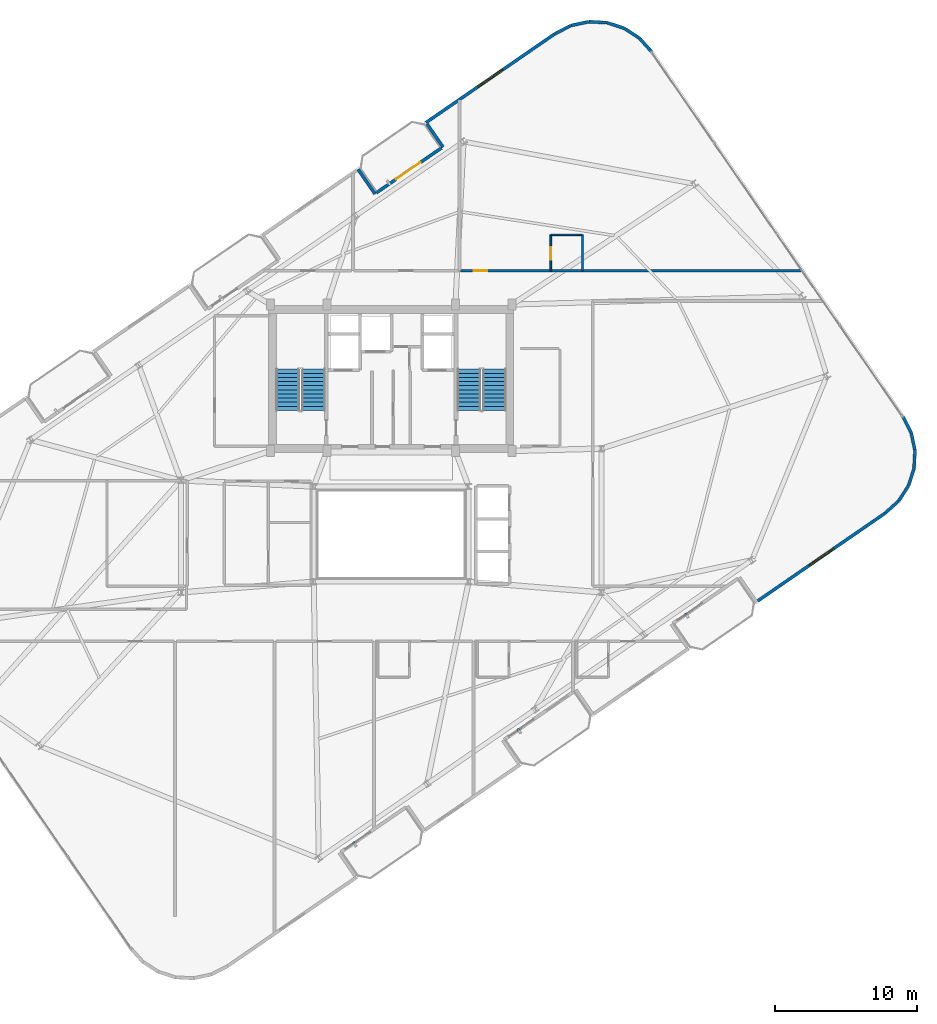
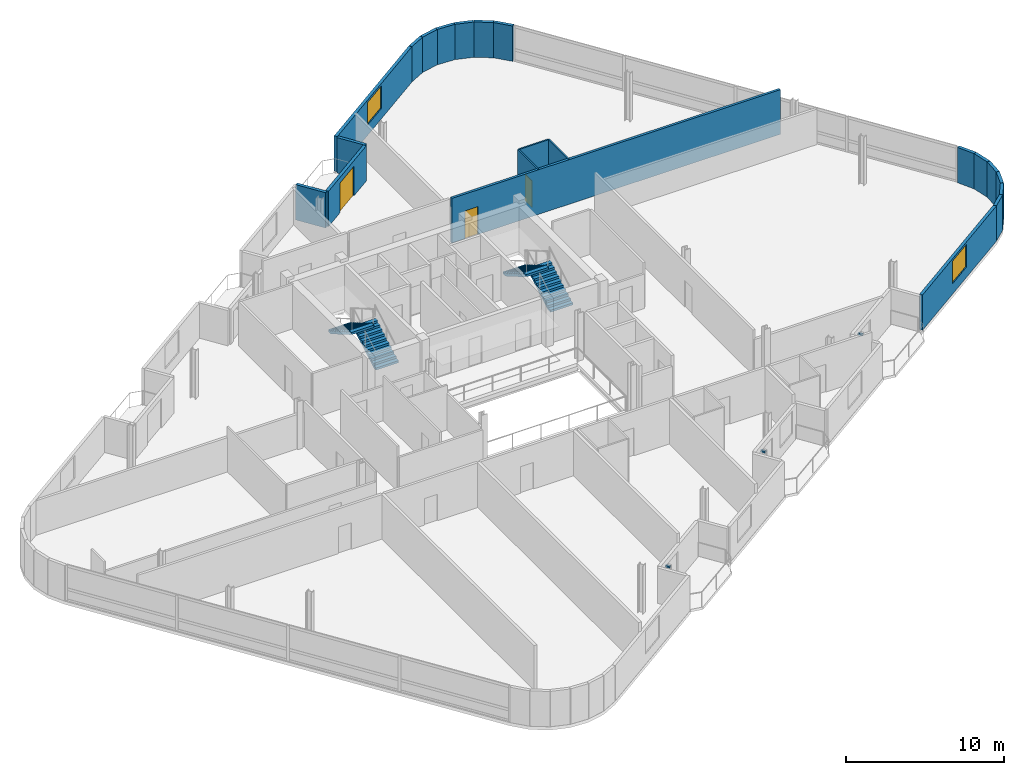
# One storey, part 17 of 21: 21 walls, 4 stair flights, 3 discrete accessories, 3 doors, 2 windows, 5 openings, 2 elements without a shape of their own.
"""IFC4 building model written with IfcOpenShell, lengths in metres."""

from ifc_helpers import new_model, si_unit, direction, frame, frame_2d, origin, origin_2d, place, context, subcontext, project, spatial, polyline, rectangle, outline, extrude, source, transform, mapped, material, layer, layer_set, type_object, element, fill, aggregate, save


model = new_model("IFC4")

# Units and contexts
model_context = context("Model", 3, precision=1e-05, world=origin(), true_north=direction((0.0, 1.0)))
body_context = subcontext(model_context, "Body", "Model", "MODEL_VIEW")
ifc_project = project(units=[si_unit("LENGTHUNIT", "METRE"), si_unit("AREAUNIT", "SQUARE_METRE"), si_unit("VOLUMEUNIT", "CUBIC_METRE"), si_unit("PLANEANGLEUNIT", "RADIAN"), si_unit("MASSUNIT", "GRAM", prefix="KILO")], contexts=[model_context])

# Site, building, storey
site_placement = place(None, origin())
site = spatial("IfcSite", under=ifc_project, at=site_placement, CompositionType="ELEMENT")
building_placement = place(site_placement, origin())
building = spatial("IfcBuilding", under=site, at=building_placement, Name="Varnelok Gate Tower", CompositionType="ELEMENT")
storey_placement = place(building_placement, frame((0.0, 0.0, 265.60009765625)))
storey = spatial("IfcBuildingStorey", under=building, at=storey_placement, Name="L68", CompositionType="ELEMENT", Elevation=265.60009765625)

# Wall, opening, door
ifc_material_1 = material(Name="Concrete C45/55", Category="concrete")
ifc_layer_1 = layer(ifc_material_1, 0.219970703125)
ifc_layer_set_1 = layer_set([ifc_layer_1], Name="Concrete C45/55")
wall_type_1 = type_object("IfcWallType", Name="EW-BALC-220", PredefinedType="SOLIDWALL", material=ifc_layer_set_1)
wall_1_placement = place(storey_placement, frame((38.15625, 46.91162109375, 0.0), z_axis=(0.0, 0.0, 1.0), x_axis=(0.823527178548, 0.567276816195, 0.0)))
wall_1 = element("IfcWall", 1, at=wall_1_placement, inside=storey, type_object=wall_type_1, Name="L68 North Terrace Envelope Wall 6", PredefinedType="SOLIDWALL", context=body_context, shape_type="SweptSolid", body=[
    extrude(rectangle(XDim=5.56689453125, YDim=0.219970703125, at=frame_2d((2.783447265625, 0.0))), origin(), (0.0, 0.0, 1.0), 2.72998046875),
])
opening_1_placement = place(wall_1_placement, frame((1.68017578125, 0.0, 0.0)))
opening_1 = element("IfcOpeningElement", 2, at=opening_1_placement, cuts=wall_1, Name="Opening BD-2", PredefinedType="OPENING", context=body_context, shape_type="SweptSolid", body=[
    extrude(rectangle(XDim=2.10009765625, YDim=2.300048828125, at=frame_2d((1.050048828125, 1.14990234375))), frame((0.0, 0.119873046875, 0.0), z_axis=(0.0, -1.0, 0.0), x_axis=(1.0, 0.0, 0.0)), (0.0, 0.0, 1.0), 0.239990234375),
])
ifc_material_2 = material(Name="Anodized Aluminum Alloy 6063-T6", Category="aluminium")
door_type_1 = type_object("IfcDoorType", Name="DR-EXT-SLID2100", OperationType="SLIDING_TO_LEFT", PredefinedType="DOOR", material=ifc_material_2)
door_1_placement = place(opening_1_placement, origin())
door_1 = element("IfcDoor", 3, at=door_1_placement, inside=storey, type_object=door_type_1, Name="L68 North Balcony Glazed Door 6", OperationType="SLIDING_TO_LEFT", OverallHeight=2.300048828125, OverallWidth=2.10009765625, PredefinedType="DOOR", context=body_context, shape_type="SweptSolid", body=[
    extrude(rectangle(XDim=2.10009765625, YDim=2.300048828125, at=frame_2d((1.050048828125, 1.14990234375))), frame((0.0, 0.02490234375, 0.0), z_axis=(0.0, -1.0, 0.0), x_axis=(1.0, 0.0, 0.0)), (0.0, 0.0, 1.0), 0.050048828125),
])
fill(opening_1, door_1)

# Wall, opening, window
wall_2_placement = place(storey_placement, frame((64.9921875, 18.197998046875, 0.0), z_axis=(0.0, 0.0, 1.0), x_axis=(0.823538117322, 0.56726093583, 0.0)))
wall_2 = element("IfcWall", 4, at=wall_2_placement, inside=storey, type_object=wall_type_1, Name="L68 Perimeter Facade Closure Wall 16", PredefinedType="SOLIDWALL", context=body_context, shape_type="SweptSolid", body=[
    extrude(rectangle(XDim=10.880126953125, YDim=0.219970703125, at=frame_2d((5.43994140625, 0.0))), origin(), (0.0, 0.0, 1.0), 2.72998046875),
])
opening_2_placement = place(wall_2_placement, frame((4.39013671875, 0.0, 0.800048828125)))
opening_2 = element("IfcOpeningElement", 5, at=opening_2_placement, cuts=wall_2, Name="Opening WN4", PredefinedType="OPENING", context=body_context, shape_type="SweptSolid", body=[
    extrude(rectangle(XDim=2.10009765625, YDim=1.75, at=frame_2d((1.050048828125, 0.875))), frame((0.0, 0.119873046875, 0.0), z_axis=(0.0, -1.0, 0.0), x_axis=(1.0, 0.0, 0.0)), (0.0, 0.0, 1.0), 0.239990234375),
])
ifc_material_3 = material(Name="Low-E Laminated Double Glazing IGU", Category="glass")
window_type = type_object("IfcWindowType", Name="WN-SUI-2100", PartitioningType="SINGLE_PANEL", PredefinedType="WINDOW", material=ifc_material_3)
window_1_placement = place(opening_2_placement, origin())
window_1 = element("IfcWindow", 6, at=window_1_placement, inside=storey, type_object=window_type, Name="L68 Perimeter Vision Window 16", OverallHeight=1.75, OverallWidth=2.10009765625, PartitioningType="SINGLE_PANEL", PredefinedType="WINDOW", context=body_context, shape_type="SweptSolid", body=[
    extrude(rectangle(XDim=2.10009765625, YDim=1.75, at=frame_2d((1.050048828125, 0.875))), frame((0.0, 0.030029296875, 0.0), z_axis=(0.0, -1.0, 0.0), x_axis=(1.0, 0.0, 0.0)), (0.0, 0.0, 1.0), 0.06005859375),
])
fill(opening_2, window_1)

# Walls
wall_3_placement = place(storey_placement, frame((73.970947265625, 24.38671875, 0.0), z_axis=(0.0, 0.0, 1.0), x_axis=(0.742501517089, 0.669844382764, 0.0)))
element("IfcWall", 7, at=wall_3_placement, inside=storey, type_object=wall_type_1, Name="L68 Perimeter Facade Closure Wall 17", PredefinedType="SOLIDWALL", context=body_context, shape_type="SweptSolid", body=[
    extrude(rectangle(XDim=1.256591796875, YDim=0.219970703125, at=frame_2d((0.62841796875, 0.0))), origin(), (0.0, 0.0, 1.0), 2.72998046875),
])
wall_4_placement = place(storey_placement, frame((74.91748046875, 25.24951171875, 0.0), z_axis=(0.0, 0.0, 1.0), x_axis=(0.543778157277, 0.839229000731, 0.0)))
element("IfcWall", 8, at=wall_4_placement, inside=storey, type_object=wall_type_1, Name="L68 Perimeter Facade Closure Wall 18", PredefinedType="SOLIDWALL", context=body_context, shape_type="SweptSolid", body=[
    extrude(rectangle(XDim=1.24853515625, YDim=0.219970703125, at=frame_2d((0.624267578125, 0.0))), origin(), (0.0, 0.0, 1.0), 2.72998046875),
])
for number, where, z_axis, x_axis, name in (
    (9, (75.604248046875, 26.321044921875, 0.0), (0.0, 0.0, 1.0), (0.307945220076, 0.951404089455, 0.0), "L68 Perimeter Facade Closure Wall 19"),
    (10, (75.989990234375, 27.533935546875, 0.0), (0.0, 0.0, 1.0), (0.05141975041, 0.998677129641, 0.0), "L68 Perimeter Facade Closure Wall 20"),
    (11, (76.048828125, 28.805419921875, 0.0), (0.0, 0.0, 1.0), (-0.208808017511, 0.977956651301, 0.0), "L68 Perimeter Facade Closure Wall 21"),
    (12, (75.776611328125, 30.048828125, 0.0), (0.0, 0.0, 1.0), (-0.454938817534, 0.890522696118, 0.0), "L68 Perimeter Facade Closure Wall 22"),
):
    element("IfcWall", number, at=place(storey_placement, frame(where, z_axis=z_axis, x_axis=x_axis)), inside=storey, type_object=wall_type_1, Name=name, PredefinedType="SOLIDWALL", context=body_context, shape_type="SweptSolid", body=[
        extrude(rectangle(XDim=1.248779296875, YDim=0.219970703125, at=frame_2d((0.62451171875, 0.0))), origin(), (0.0, 0.0, 1.0), 2.72998046875),
    ])
wall_5_placement = place(storey_placement, frame((57.509765625, 56.85498046875, 0.0), z_axis=(0.0, 0.0, 1.0), x_axis=(-0.669853727156, 0.742493086982, 0.0)))
element("IfcWall", 13, at=wall_5_placement, inside=storey, type_object=wall_type_1, Name="L68 Perimeter Facade Closure Wall 23", PredefinedType="SOLIDWALL", context=body_context, shape_type="SweptSolid", body=[
    extrude(rectangle(XDim=1.27392578125, YDim=0.219970703125, at=frame_2d((0.636962890625, 0.0))), origin(), (0.0, 0.0, 1.0), 2.72998046875),
])
wall_6_placement = place(storey_placement, frame((56.635498046875, 57.814208984375, 0.0), z_axis=(0.0, 0.0, 1.0), x_axis=(-0.839229000731, 0.543778157277, 0.0)))
element("IfcWall", 14, at=wall_6_placement, inside=storey, type_object=wall_type_1, Name="L68 Perimeter Facade Closure Wall 24", PredefinedType="SOLIDWALL", context=body_context, shape_type="SweptSolid", body=[
    extrude(rectangle(XDim=1.24853515625, YDim=0.219970703125, at=frame_2d((0.624267578125, 0.0))), origin(), (0.0, 0.0, 1.0), 2.72998046875),
])
for number, where, z_axis, x_axis, name in (
    (15, (55.56396484375, 58.5009765625, 0.0), (0.0, 0.0, 1.0), (-0.951404089455, 0.307945220076, 0.0), "L68 Perimeter Facade Closure Wall 25"),
    (16, (54.35107421875, 58.88671875, 0.0), (0.0, 0.0, 1.0), (-0.998687150602, 0.051224752047, 0.0), "L68 Perimeter Facade Closure Wall 26"),
    (17, (53.07958984375, 58.945556640625, 0.0), (0.0, 0.0, 1.0), (-0.977956651301, -0.208808017511, 0.0), "L68 Perimeter Facade Closure Wall 27"),
):
    element("IfcWall", number, at=place(storey_placement, frame(where, z_axis=z_axis, x_axis=x_axis)), inside=storey, type_object=wall_type_1, Name=name, PredefinedType="SOLIDWALL", context=body_context, shape_type="SweptSolid", body=[
        extrude(rectangle(XDim=1.248779296875, YDim=0.219970703125, at=frame_2d((0.62451171875, 0.0))), origin(), (0.0, 0.0, 1.0), 2.72998046875),
    ])
wall_7_placement = place(storey_placement, frame((51.836181640625, 58.67333984375, 0.0), z_axis=(0.0, 0.0, 1.0), x_axis=(-0.890586847538, -0.454813222095, 0.0)))
element("IfcWall", 18, at=wall_7_placement, inside=storey, type_object=wall_type_1, Name="L68 Perimeter Facade Closure Wall 28", PredefinedType="SOLIDWALL", context=body_context, shape_type="SweptSolid", body=[
    extrude(rectangle(XDim=1.256591796875, YDim=0.219970703125, at=frame_2d((0.62841796875, 0.0))), origin(), (0.0, 0.0, 1.0), 2.72998046875),
])

# Wall, opening, window
wall_8_placement = place(storey_placement, frame((50.696533203125, 58.08740234375, 0.0), z_axis=(0.0, 0.0, 1.0), x_axis=(-0.823539455464, -0.567258993137, 0.0)))
wall_8 = element("IfcWall", 19, at=wall_8_placement, inside=storey, type_object=wall_type_1, Name="L68 Perimeter Facade Closure Wall 29", PredefinedType="SOLIDWALL", context=body_context, shape_type="SweptSolid", body=[
    extrude(rectangle(XDim=10.97998046875, YDim=0.219970703125, at=frame_2d((5.489990234375, 0.0))), origin(), (0.0, 0.0, 1.0), 2.72998046875),
])
opening_3_placement = place(wall_8_placement, frame((4.440185546875, 0.0, 0.800048828125)))
opening_3 = element("IfcOpeningElement", 20, at=opening_3_placement, cuts=wall_8, Name="Opening WN4", PredefinedType="OPENING", context=body_context, shape_type="SweptSolid", body=[
    extrude(rectangle(XDim=2.10009765625, YDim=1.75, at=frame_2d((1.050048828125, 0.875))), frame((0.0, 0.119873046875, 0.0), z_axis=(0.0, -1.0, 0.0), x_axis=(1.0, 0.0, 0.0)), (0.0, 0.0, 1.0), 0.239990234375),
])
window_2_placement = place(opening_3_placement, origin())
window_2 = element("IfcWindow", 21, at=window_2_placement, inside=storey, type_object=window_type, Name="L68 Perimeter Vision Window 29", OverallHeight=1.75, OverallWidth=2.10009765625, PartitioningType="SINGLE_PANEL", PredefinedType="WINDOW", context=body_context, shape_type="SweptSolid", body=[
    extrude(rectangle(XDim=2.10009765625, YDim=1.75, at=frame_2d((1.050048828125, 0.875))), frame((0.0, 0.030029296875, 0.0), z_axis=(0.0, -1.0, 0.0), x_axis=(1.0, 0.0, 0.0)), (0.0, 0.0, 1.0), 0.06005859375),
])
fill(opening_3, window_2)

# Walls
wall_9_placement = place(storey_placement, frame((41.724853515625, 51.755859375, 0.0), z_axis=(0.0, 0.0, 1.0), x_axis=(0.567273565974, -0.823529417415, 0.0)))
element("IfcWall", 22, at=wall_9_placement, inside=storey, type_object=wall_type_1, Name="L68 Perimeter Facade Closure Wall 30", PredefinedType="SOLIDWALL", context=body_context, shape_type="SweptSolid", body=[
    extrude(rectangle(XDim=1.97509765625, YDim=0.219970703125, at=frame_2d((0.987548828125, 0.0))), origin(), (0.0, 0.0, 1.0), 2.72998046875),
])
wall_10_placement = place(storey_placement, frame((38.06298828125, 46.835205078125, 0.0), z_axis=(0.0, 0.0, 1.0), x_axis=(-0.567219383419, 0.823566737474, 0.0)))
element("IfcWall", 23, at=wall_10_placement, inside=storey, type_object=wall_type_1, Name="L68 Perimeter Facade Closure Wall 31", PredefinedType="SOLIDWALL", context=body_context, shape_type="SweptSolid", body=[
    extrude(rectangle(XDim=2.10009765625, YDim=0.219970703125, at=frame_2d((1.050048828125, 0.0))), origin(), (0.0, 0.0, 1.0), 2.72998046875),
])

# Wall, opening, door
ifc_material_4 = material(Name="Gypsum Plasterboard Acoustic Partition", Category="gypsum")
ifc_layer_2 = layer(ifc_material_4, 0.179931640625)
ifc_layer_set_2 = layer_set([ifc_layer_2], Name="Gypsum Plasterboard Acoustic Partition")
wall_type_2 = type_object("IfcWallType", Name="PW-CORR-180", PredefinedType="PARTITIONING", material=ifc_layer_set_2)
wall_11_placement = place(storey_placement, frame((44.080078125, 41.429931640625, 0.0), z_axis=(0.0, 0.0, 1.0), x_axis=(1.0, 0.0, 0.0)))
wall_11 = element("IfcWall", 24, at=wall_11_placement, inside=storey, type_object=wall_type_2, Name="Interior Partition", PredefinedType="PARTITIONING", context=body_context, shape_type="SweptSolid", body=[
    extrude(rectangle(XDim=23.991943359375, YDim=0.179931640625, at=frame_2d((11.99609375, 0.0))), origin(), (0.0, 0.0, 1.0), 3.449951171875),
])
opening_4_placement = place(wall_11_placement, frame((0.931396484375, 0.0, 0.0)))
opening_4 = element("IfcOpeningElement", 25, at=opening_4_placement, cuts=wall_11, Name="Opening D-HT", PredefinedType="OPENING", context=body_context, shape_type="SweptSolid", body=[
    extrude(rectangle(XDim=0.949951171875, YDim=2.14990234375, at=frame_2d((0.47509765625, 1.074951171875))), frame((0.0, 0.099853515625, 0.0), z_axis=(0.0, -1.0, 0.0), x_axis=(1.0, 0.0, 0.0)), (0.0, 0.0, 1.0), 0.199951171875),
])
ifc_material_5 = material(Name="Engineered Hardwood Timber", Category="wood")
door_type_2 = type_object("IfcDoorType", Name="DR-HTL-950", OperationType="NOTDEFINED", PredefinedType="DOOR", material=ifc_material_5)
door_2_placement = place(opening_4_placement, origin())
door_2 = element("IfcDoor", 26, at=door_2_placement, inside=storey, type_object=door_type_2, Name="L68 Guest Room 09 Entrance Door", OperationType="SINGLE_SWING_RIGHT", OverallHeight=2.14990234375, OverallWidth=0.949951171875, PredefinedType="DOOR", context=body_context, shape_type="SweptSolid", body=[
    extrude(rectangle(XDim=0.949951171875, YDim=2.14990234375, at=frame_2d((0.47509765625, 1.074951171875))), frame((0.0, 0.02490234375, 0.0), z_axis=(0.0, -1.0, 0.0), x_axis=(1.0, 0.0, 0.0)), (0.0, 0.0, 1.0), 0.050048828125),
])
fill(opening_4, door_2)

# Wall
ifc_layer_3 = layer(ifc_material_4, 0.114990234375)
ifc_layer_set_3 = layer_set([ifc_layer_3], Name="Gypsum Plasterboard Acoustic Partition")
wall_type_3 = type_object("IfcWallType", Name="PW-ENS-125", PredefinedType="PARTITIONING", material=ifc_layer_set_3)
wall_12_placement = place(storey_placement, frame((50.469970703125, 43.949951171875, 0.0), z_axis=(0.0, 0.0, 1.0), x_axis=(1.0, 0.0, 0.0)))
element("IfcWall", 27, at=wall_12_placement, inside=storey, type_object=wall_type_3, Name="Interior Partition", PredefinedType="PARTITIONING", context=body_context, shape_type="SweptSolid", body=[
    extrude(rectangle(XDim=2.150146484375, YDim=0.114990234375, at=frame_2d((1.0751953125, 0.0))), origin(), (0.0, 0.0, 1.0), 3.449951171875),
])

# Wall, opening, door
wall_13_placement = place(storey_placement, frame((50.429931640625, 41.429931640625, 0.0), z_axis=(0.0, 0.0, 1.0), x_axis=(0.0, 1.0, 0.0)))
wall_13 = element("IfcWall", 28, at=wall_13_placement, inside=storey, type_object=wall_type_3, Name="Interior Partition", PredefinedType="PARTITIONING", context=body_context, shape_type="SweptSolid", body=[
    extrude(rectangle(XDim=2.52001953125, YDim=0.114990234375, at=frame_2d((1.260009765625, 0.0))), origin(), (0.0, 0.0, 1.0), 3.449951171875),
])
opening_5_placement = place(wall_13_placement, frame((0.760009765625, 0.0, 0.0)))
opening_5 = element("IfcOpeningElement", 29, at=opening_5_placement, cuts=wall_13, Name="Opening D-WC", PredefinedType="OPENING", context=body_context, shape_type="SweptSolid", body=[
    extrude(rectangle(XDim=0.89990234375, YDim=2.050048828125, at=frame_2d((0.449951171875, 1.02490234375))), frame((0.0, 0.0673828125, 0.0), z_axis=(0.0, -1.0, 0.0), x_axis=(1.0, 0.0, 0.0)), (0.0, 0.0, 1.0), 0.135009765625),
])
door_type_3 = type_object("IfcDoorType", Name="DR-BATH-900", OperationType="NOTDEFINED", PredefinedType="DOOR", material=ifc_material_5)
door_3_placement = place(opening_5_placement, origin())
door_3 = element("IfcDoor", 30, at=door_3_placement, inside=storey, type_object=door_type_3, Name="L68 North En-Suite 09 Door", OperationType="SINGLE_SWING_LEFT", OverallHeight=2.050048828125, OverallWidth=0.89990234375, PredefinedType="DOOR", context=body_context, shape_type="SweptSolid", body=[
    extrude(rectangle(XDim=0.89990234375, YDim=2.050048828125, at=frame_2d((0.449951171875, 1.02490234375))), frame((0.0, 0.02490234375, 0.0), z_axis=(0.0, -1.0, 0.0), x_axis=(1.0, 0.0, 0.0)), (0.0, 0.0, 1.0), 0.050048828125),
])
fill(opening_5, door_3)

# Wall
wall_14_placement = place(storey_placement, frame((52.659912109375, 41.429931640625, 0.0), z_axis=(0.0, 0.0, 1.0), x_axis=(0.0, 1.0, 0.0)))
element("IfcWall", 31, at=wall_14_placement, inside=storey, type_object=wall_type_3, Name="Interior Partition", PredefinedType="PARTITIONING", context=body_context, shape_type="SweptSolid", body=[
    extrude(rectangle(XDim=2.52001953125, YDim=0.114990234375, at=frame_2d((1.260009765625, 0.0))), origin(), (0.0, 0.0, 1.0), 3.449951171875),
])

# Stair, stair flights
ifc_material_6 = material(Name="Concrete C50/60", Category="concrete")
stair_type = type_object("IfcStairType", Name="STR-CORE-1650", PredefinedType="HALF_TURN_STAIR", material=ifc_material_6)
stair_1_placement = place(storey_placement, origin())
stair_1 = element("IfcStair", 32, at=stair_1_placement, inside=storey, type_object=stair_type, Name="L68 Exit Stair ST-1", PredefinedType="HALF_TURN_STAIR")
stair_flight_type = type_object("IfcStairFlightType", Name="SFL-CORE-1650", PredefinedType="STRAIGHT", material=ifc_material_6)
stair_flight_1_placement = place(storey_placement, frame((33.72509765625, 31.60009765625, 0.0), z_axis=(0.0, 0.0, 1.0), x_axis=(0.0, 1.0, 0.0)))
stair_flight_1 = element("IfcStairFlight", 33, at=stair_flight_1_placement, type_object=stair_flight_type, Name="ST-1 flight 1", NumberOfRisers=11, NumberOfTreads=10, PredefinedType="STRAIGHT", RiserHeight=0.168181818, TreadLength=0.29, context=body_context, shape_type="SweptSolid", body=[
    extrude(outline(polyline([(0.0, 0.0), (0.0, 0.168212890625), (0.2900390625, 0.168212890625), (0.2900390625, 0.33642578125), (0.580078125, 0.33642578125), (0.580078125, 0.504638671875), (0.8701171875, 0.504638671875), (0.8701171875, 0.672607421875), (1.159912109375, 0.672607421875), (1.159912109375, 0.8408203125), (1.449951171875, 0.8408203125), (1.449951171875, 1.009033203125), (1.739990234375, 1.009033203125), (1.739990234375, 1.17724609375), (2.030029296875, 1.17724609375), (2.030029296875, 1.345458984375), (2.320068359375, 1.345458984375), (2.320068359375, 1.513671875), (2.610107421875, 1.513671875), (2.610107421875, 1.681884765625), (2.89990234375, 1.681884765625), (2.89990234375, 1.85009765625), (2.89990234375, 1.508544921875), (0.298828125, 0.0), (0.0, 0.0)])), frame((0.0, 0.824951171875, 0.0), z_axis=(0.0, -1.0, 0.0), x_axis=(1.0, 0.0, 0.0)), (0.0, 0.0, 1.0), 1.64990234375),
])
stair_flight_2_placement = place(storey_placement, frame((31.925048828125, 34.5, 1.849853515625), z_axis=(0.0, 0.0, 1.0), x_axis=(0.0, -1.0, 0.0)))
stair_flight_2 = element("IfcStairFlight", 34, at=stair_flight_2_placement, type_object=stair_flight_type, Name="ST-1 flight 2", NumberOfRisers=11, NumberOfTreads=10, PredefinedType="STRAIGHT", RiserHeight=0.168181818, TreadLength=0.29, context=body_context, shape_type="SweptSolid", body=[
    extrude(outline(polyline([(0.0, 0.0), (0.0, 0.168212890625), (0.2900390625, 0.168212890625), (0.2900390625, 0.33642578125), (0.580078125, 0.33642578125), (0.580078125, 0.504638671875), (0.8701171875, 0.504638671875), (0.8701171875, 0.672607421875), (1.159912109375, 0.672607421875), (1.159912109375, 0.8408203125), (1.449951171875, 0.8408203125), (1.449951171875, 1.009033203125), (1.739990234375, 1.009033203125), (1.739990234375, 1.17724609375), (2.030029296875, 1.17724609375), (2.030029296875, 1.345458984375), (2.320068359375, 1.345458984375), (2.320068359375, 1.513671875), (2.610107421875, 1.513671875), (2.610107421875, 1.681884765625), (2.89990234375, 1.681884765625), (2.89990234375, 1.85009765625), (2.89990234375, 1.508544921875), (0.298828125, 0.0), (0.0, 0.0)])), frame((0.0, 0.824951171875, 0.0), z_axis=(0.0, -1.0, 0.0), x_axis=(1.0, 0.0, 0.0)), (0.0, 0.0, 1.0), 1.64990234375),
])
aggregate(stair_1, [stair_flight_1, stair_flight_2])

stair_2_placement = place(storey_placement, origin())
stair_2 = element("IfcStair", 35, at=stair_2_placement, inside=storey, type_object=stair_type, Name="L68 Exit Stair ST-2", PredefinedType="HALF_TURN_STAIR")
stair_flight_3_placement = place(storey_placement, frame((46.47509765625, 31.60009765625, 0.0), z_axis=(0.0, 0.0, 1.0), x_axis=(0.0, 1.0, 0.0)))
stair_flight_3 = element("IfcStairFlight", 36, at=stair_flight_3_placement, type_object=stair_flight_type, Name="ST-2 flight 1", NumberOfRisers=11, NumberOfTreads=10, PredefinedType="STRAIGHT", RiserHeight=0.168181818, TreadLength=0.29, context=body_context, shape_type="SweptSolid", body=[
    extrude(outline(polyline([(0.0, 0.0), (0.0, 0.168212890625), (0.2900390625, 0.168212890625), (0.2900390625, 0.33642578125), (0.580078125, 0.33642578125), (0.580078125, 0.504638671875), (0.8701171875, 0.504638671875), (0.8701171875, 0.672607421875), (1.159912109375, 0.672607421875), (1.159912109375, 0.8408203125), (1.449951171875, 0.8408203125), (1.449951171875, 1.009033203125), (1.739990234375, 1.009033203125), (1.739990234375, 1.17724609375), (2.030029296875, 1.17724609375), (2.030029296875, 1.345458984375), (2.320068359375, 1.345458984375), (2.320068359375, 1.513671875), (2.610107421875, 1.513671875), (2.610107421875, 1.681884765625), (2.89990234375, 1.681884765625), (2.89990234375, 1.85009765625), (2.89990234375, 1.508544921875), (0.298828125, 0.0), (0.0, 0.0)])), frame((0.0, 0.824951171875, 0.0), z_axis=(0.0, -1.0, 0.0), x_axis=(1.0, 0.0, 0.0)), (0.0, 0.0, 1.0), 1.64990234375),
])
stair_flight_4_placement = place(storey_placement, frame((44.675048828125, 34.5, 1.849853515625), z_axis=(0.0, 0.0, 1.0), x_axis=(0.0, -1.0, 0.0)))
stair_flight_4 = element("IfcStairFlight", 37, at=stair_flight_4_placement, type_object=stair_flight_type, Name="ST-2 flight 2", NumberOfRisers=11, NumberOfTreads=10, PredefinedType="STRAIGHT", RiserHeight=0.168181818, TreadLength=0.29, context=body_context, shape_type="SweptSolid", body=[
    extrude(outline(polyline([(0.0, 0.0), (0.0, 0.168212890625), (0.2900390625, 0.168212890625), (0.2900390625, 0.33642578125), (0.580078125, 0.33642578125), (0.580078125, 0.504638671875), (0.8701171875, 0.504638671875), (0.8701171875, 0.672607421875), (1.159912109375, 0.672607421875), (1.159912109375, 0.8408203125), (1.449951171875, 0.8408203125), (1.449951171875, 1.009033203125), (1.739990234375, 1.009033203125), (1.739990234375, 1.17724609375), (2.030029296875, 1.17724609375), (2.030029296875, 1.345458984375), (2.320068359375, 1.345458984375), (2.320068359375, 1.513671875), (2.610107421875, 1.513671875), (2.610107421875, 1.681884765625), (2.89990234375, 1.681884765625), (2.89990234375, 1.85009765625), (2.89990234375, 1.508544921875), (0.298828125, 0.0), (0.0, 0.0)])), frame((0.0, 0.824951171875, 0.0), z_axis=(0.0, -1.0, 0.0), x_axis=(1.0, 0.0, 0.0)), (0.0, 0.0, 1.0), 1.64990234375),
])
aggregate(stair_2, [stair_flight_3, stair_flight_4])

# Discrete accessories
ifc_material_7 = material(Name="Structural Steel ASTM A500 Grade C", Category="steel")
discrete_accessory_type = type_object("IfcDiscreteAccessoryType", Name="ACC-BAGUETTE-BRK", PredefinedType="BRACKET", material=ifc_material_7)
shared_shape = source(origin(), body_context, "Body", "SweptSolid", [
    extrude(rectangle(XDim=0.159912109375, YDim=0.340087890625, at=origin_2d()), origin(), (0.0, 0.0, 1.0), 0.139892578125),
])
for number, where, z_axis, x_axis, name in (
    (38, (36.62158203125, 1.09619140625, 1.97998046875), (0.0, 0.0, 1.0), (0.823532597628, 0.567268949127, 0.0), "L68 Terracotta Baguette Bracket 1.1"),
    (39, (48.195068359375, 9.068359375, 1.97998046875), (0.0, 0.0, 1.0), (0.823532597628, 0.567268949127, 0.0), "L68 Terracotta Baguette Bracket 2.1"),
    (40, (59.982666015625, 17.187744140625, 1.97998046875), (0.0, 0.0, 1.0), (0.823532597628, 0.567268949127, 0.0), "L68 Terracotta Baguette Bracket 3.1"),
):
    element("IfcDiscreteAccessory", number, at=place(storey_placement, frame(where, z_axis=z_axis, x_axis=x_axis)), inside=storey, type_object=discrete_accessory_type, Name=name, PredefinedType="BRACKET", context=body_context, shape_type="MappedRepresentation", body=[
        mapped(shared_shape, transform((0.0, 0.0, 0.0), scale=1.0)),
    ])

save(model, "model.ifc")
